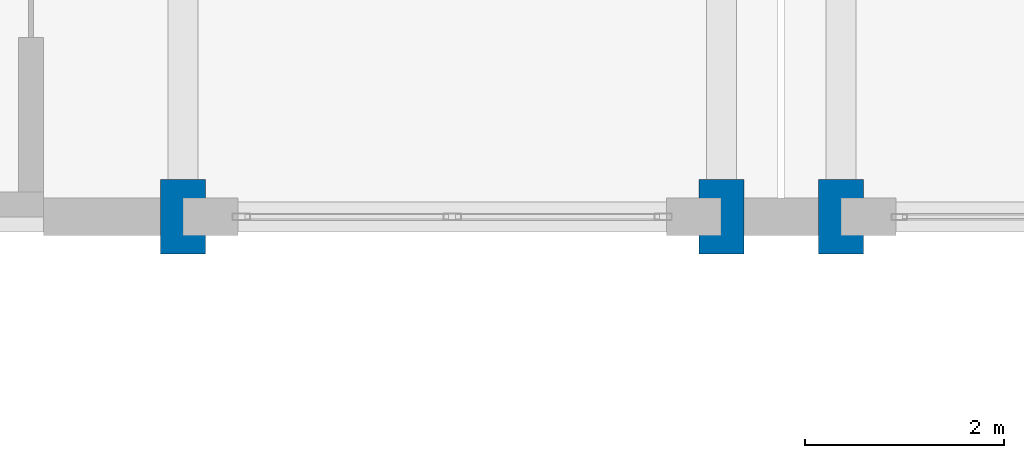
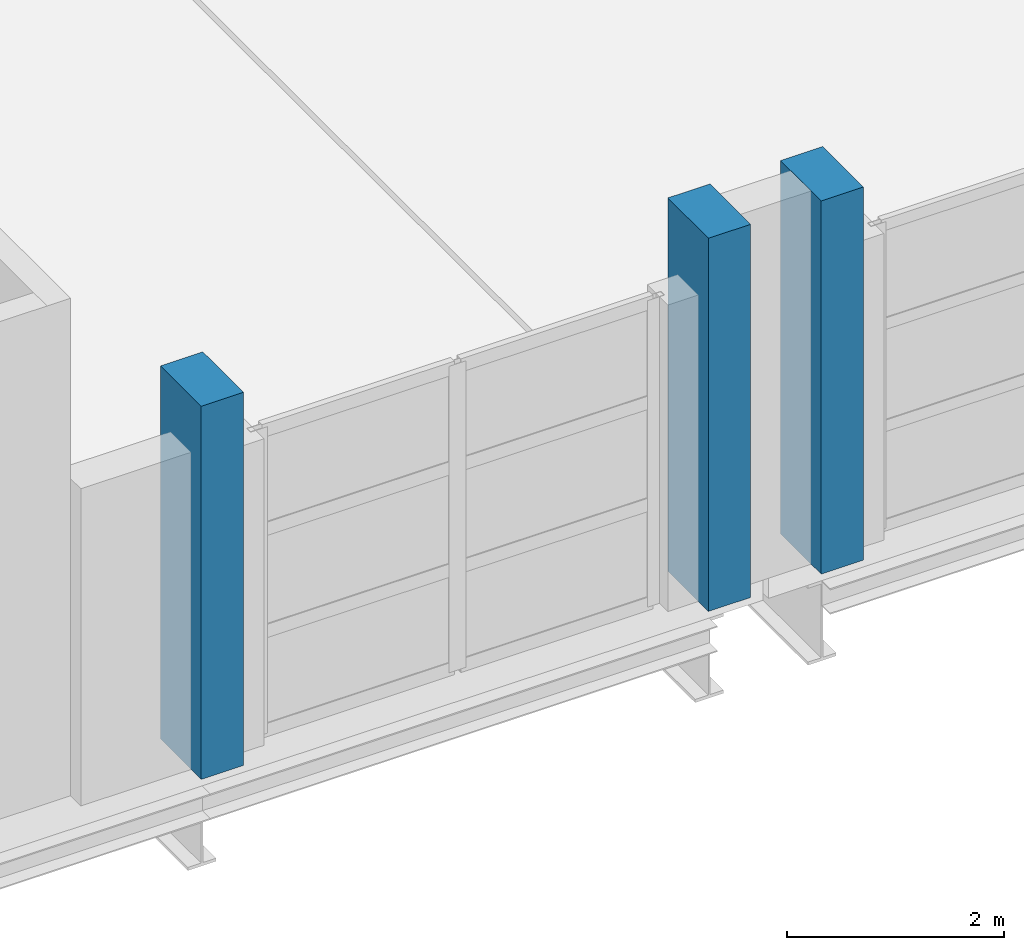
# One storey, part 13 of 147: 3 columns.
"""IFC4 building model written with IfcOpenShell, lengths in metres."""

from ifc_helpers import new_model, si_unit, direction, frame, origin, origin_2d, place, context, subcontext, project, spatial, rectangle, extrude, material, material_profile, profile_set, type_object, element, save


model = new_model("IFC4")

# Units and contexts
model_context = context("Model", 3, precision=1e-05, world=origin(), true_north=direction((0.0, 1.0)))
body_context = subcontext(model_context, "Body", "Model", "MODEL_VIEW")
ifc_project = project(units=[si_unit("LENGTHUNIT", "METRE"), si_unit("AREAUNIT", "SQUARE_METRE"), si_unit("VOLUMEUNIT", "CUBIC_METRE"), si_unit("PLANEANGLEUNIT", "RADIAN"), si_unit("MASSUNIT", "GRAM", prefix="KILO")], contexts=[model_context])

# Site, building, storey
site_placement = place(None, origin())
site = spatial("IfcSite", under=ifc_project, at=site_placement, CompositionType="ELEMENT")
building_placement = place(site_placement, origin())
building = spatial("IfcBuilding", under=site, at=building_placement, Name="Zilviju Railside Exhibition Hall", CompositionType="ELEMENT")
storey_placement = place(building_placement, frame((0.0, 0.0, 8.39990234375)))
storey = spatial("IfcBuildingStorey", under=building, at=storey_placement, Name="L03", CompositionType="ELEMENT", Elevation=8.39990234375)

# Columns
ifc_material = material(Name="Concrete C40/50", Category="concrete")
ifc_material_profile = material_profile(ifc_material, rectangle(XDim=0.449951171875, YDim=0.75, at=origin_2d()), Name="RC COL 450x750")
ifc_profile_set = profile_set([ifc_material_profile], Name="Concrete C40/50")
column_type = type_object("IfcColumnType", Name="PIL-RC-750x450", PredefinedType="PILASTER", material=ifc_profile_set)
for number, where, z_axis, x_axis, name in (
    (1, (120.0, 84.0, 0.0), (0.0, 0.0, 1.0), (1.0, 0.0, 0.0), "Structural Column L03 (120.0, 84.0)"),
    (2, (125.39990234375, 84.0, 0.0), (0.0, 0.0, 1.0), (1.0, 0.0, 0.0), "Structural Column L03 (125.4, 84.0)"),
    (3, (126.60009765625, 84.0, 0.0), (0.0, 0.0, 1.0), (1.0, 0.0, 0.0), "Structural Column L03 (126.6, 84.0)"),
):
    element("IfcColumn", number, at=place(storey_placement, frame(where, z_axis=z_axis, x_axis=x_axis)), inside=storey, type_object=column_type, Name=name, PredefinedType="PILASTER", context=body_context, shape_type="SweptSolid", body=[
        extrude(rectangle(XDim=0.449951171875, YDim=0.75, at=origin_2d()), origin(), (0.0, 0.0, 1.0), 4.2001953125),
    ])

save(model, "model.ifc")
